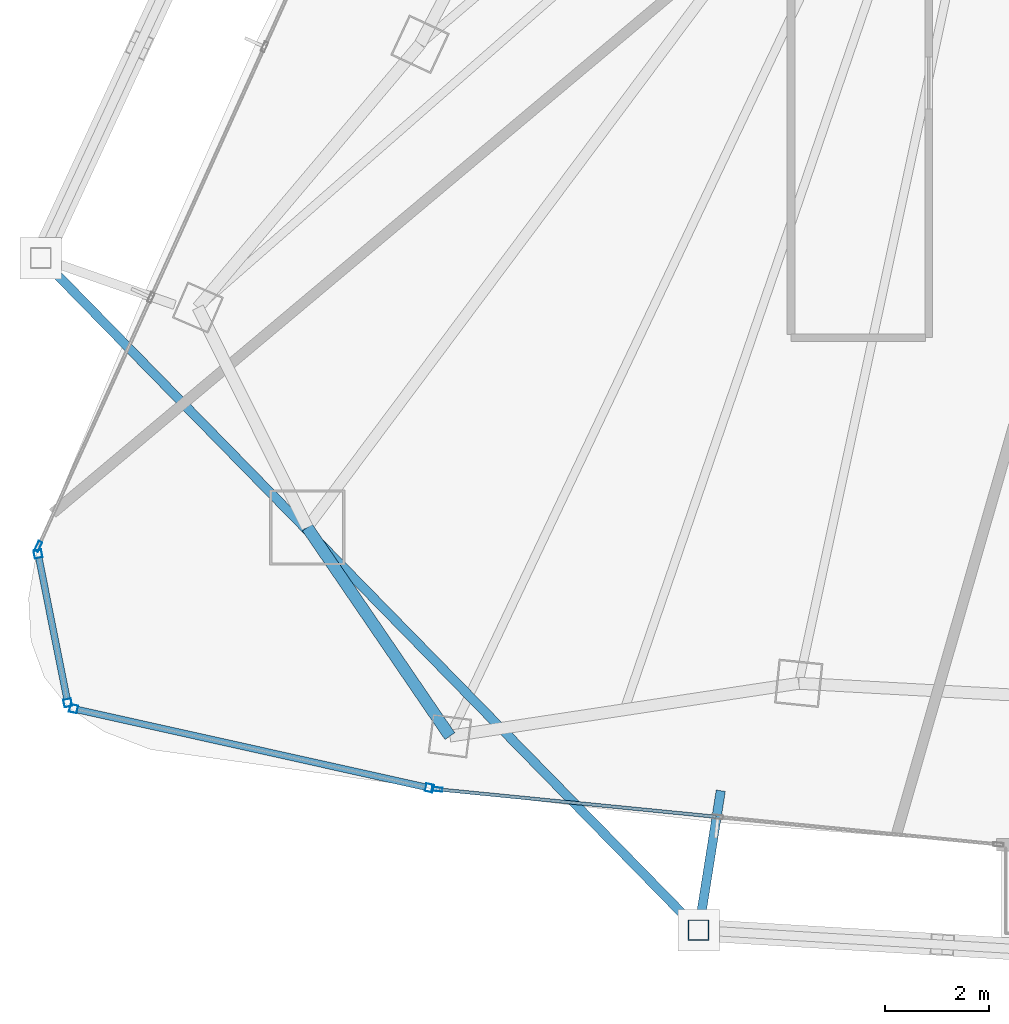
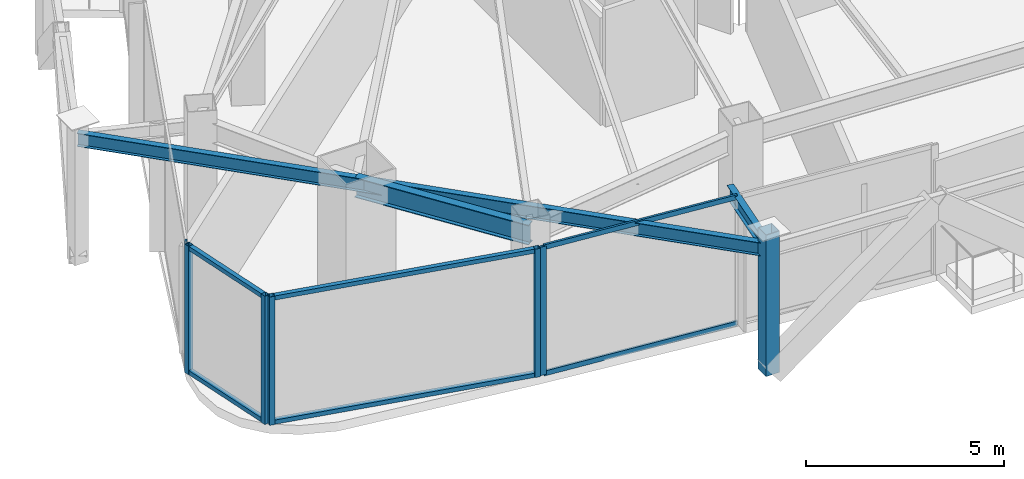
# One storey, part 2 of 27: 13 members, 3 beams, 4 elements without a shape of their own.
"""IFC4 building model written with IfcOpenShell, lengths in metres."""

from ifc_helpers import new_model, si_unit, direction, frame, origin, origin_2d, place, context, subcontext, project, spatial, hollow_rectangle, i_section, extrude, material, layer, layer_set, material_profile, profile_set, type_object, element, aggregate, save


model = new_model("IFC4")

# Units and contexts
model_context = context("Model", 3, precision=1e-05, world=origin(), true_north=direction((0.0, 1.0)))
body_context = subcontext(model_context, "Body", "Model", "MODEL_VIEW")
ifc_project = project(units=[si_unit("LENGTHUNIT", "METRE"), si_unit("AREAUNIT", "SQUARE_METRE"), si_unit("VOLUMEUNIT", "CUBIC_METRE"), si_unit("PLANEANGLEUNIT", "RADIAN"), si_unit("MASSUNIT", "GRAM", prefix="KILO")], contexts=[model_context])

# Site, building, storey
site_placement = place(None, origin())
site = spatial("IfcSite", under=ifc_project, at=site_placement, CompositionType="ELEMENT")
building_placement = place(site_placement, origin())
building = spatial("IfcBuilding", under=site, at=building_placement, Name="Orvanel Arch Residences", CompositionType="ELEMENT")
storey_placement = place(building_placement, frame((0.0, 0.0, 186.949951171875)))
storey = spatial("IfcBuildingStorey", under=building, at=storey_placement, Name="L53", CompositionType="ELEMENT", Elevation=186.949951171875)

# Curtain wall, members
ifc_material_1 = material(Name="Bronze-anodised aluminium AA6063-T6", Category="aluminium")
ifc_layer_1 = layer(ifc_material_1, 0.18994140625)
ifc_layer_set_1 = layer_set([ifc_layer_1], Name="Bronze-anodised aluminium AA6063-T6")
curtain_wall_type_1 = type_object("IfcCurtainWallType", Name="CW5-CRN-SYS", PredefinedType="NOTDEFINED", material=ifc_layer_set_1)
curtain_wall_1_placement = place(storey_placement, origin())
curtain_wall_1 = element("IfcCurtainWall", 1, at=curtain_wall_1_placement, inside=storey, type_object=curtain_wall_type_1, Name="L53 CW5-CRN-SYS Unitised Curtain Wall", PredefinedType="NOTDEFINED")
ifc_material_profile_1 = material_profile(ifc_material_1, hollow_rectangle(XDim=0.14990234375, YDim=0.14990234375, WallThickness=0.0048828125, at=origin_2d()), Name="ALU150x150x5")
ifc_profile_set_1 = profile_set([ifc_material_profile_1], Name="Bronze-anodised aluminium AA6063-T6")
member_type_1 = type_object("IfcMemberType", Name="MUL-150x150", PredefinedType="MULLION", material=ifc_profile_set_1)
member_1_placement = place(storey_placement, frame((9.022705078125, 9.84033203125, 0.0), z_axis=(0.0, 0.0, 1.0), x_axis=(0.980680862558, 0.195614533746, 0.0)))
member_1 = element("IfcMember", 2, at=member_1_placement, type_object=member_type_1, Name="CW-S5 mullion 1", PredefinedType="MULLION", context=body_context, shape_type="SweptSolid", body=[
    extrude(hollow_rectangle(XDim=0.14990234375, YDim=0.14990234375, WallThickness=0.0048828125, at=origin_2d()), origin(), (0.0, 0.0, 1.0), 3.949951171875),
])
member_2_placement = place(storey_placement, frame((9.59326171875, 6.9794921875, 0.0), z_axis=(0.0, 0.0, 1.0), x_axis=(0.980680862558, 0.195614533746, 0.0)))
member_2 = element("IfcMember", 3, at=member_2_placement, type_object=member_type_1, Name="CW-S5 mullion 2", PredefinedType="MULLION", context=body_context, shape_type="SweptSolid", body=[
    extrude(hollow_rectangle(XDim=0.14990234375, YDim=0.14990234375, WallThickness=0.0048828125, at=origin_2d()), origin(), (0.0, 0.0, 1.0), 3.949951171875),
])

curtain_wall_2_placement = place(storey_placement, origin())
curtain_wall_2 = element("IfcCurtainWall", 4, at=curtain_wall_2_placement, inside=storey, type_object=curtain_wall_type_1, Name="L53 CW5-CRN-SYS Unitised Curtain Wall", PredefinedType="NOTDEFINED")
member_3_placement = place(storey_placement, frame((9.705322265625, 6.86572265625, 0.0), z_axis=(0.0, 0.0, 1.0), x_axis=(0.217344553129, 0.976094946829, 0.0)))
member_3 = element("IfcMember", 5, at=member_3_placement, type_object=member_type_1, Name="CW-S5 mullion 1", PredefinedType="MULLION", context=body_context, shape_type="SweptSolid", body=[
    extrude(hollow_rectangle(XDim=0.14990234375, YDim=0.14990234375, WallThickness=0.0048828125, at=origin_2d()), origin(), (0.0, 0.0, 1.0), 3.949951171875),
])
member_4_placement = place(storey_placement, frame((16.546875, 5.34228515625, 0.0), z_axis=(0.0, 0.0, 1.0), x_axis=(0.217344553129, 0.976094946829, 0.0)))
member_4 = element("IfcMember", 6, at=member_4_placement, type_object=member_type_1, Name="CW-S5 mullion 2", PredefinedType="MULLION", context=body_context, shape_type="SweptSolid", body=[
    extrude(hollow_rectangle(XDim=0.14990234375, YDim=0.14990234375, WallThickness=0.0048828125, at=origin_2d()), origin(), (0.0, 0.0, 1.0), 3.949951171875),
])

# Curtain wall, member
ifc_layer_2 = layer(ifc_material_1, 0.195068359375)
ifc_layer_set_2 = layer_set([ifc_layer_2], Name="Bronze-anodised aluminium AA6063-T6")
curtain_wall_type_2 = type_object("IfcCurtainWallType", Name="CW6-COM-SYS", PredefinedType="NOTDEFINED", material=ifc_layer_set_2)
curtain_wall_3_placement = place(storey_placement, origin())
curtain_wall_3 = element("IfcCurtainWall", 7, at=curtain_wall_3_placement, inside=storey, type_object=curtain_wall_type_2, Name="L53 CW6-COM-SYS Unitised Curtain Wall", PredefinedType="NOTDEFINED")
ifc_material_profile_2 = material_profile(ifc_material_1, hollow_rectangle(XDim=0.074951171875, YDim=0.199951171875, WallThickness=0.0048828125, at=origin_2d()), Name="ALU200x75x5")
ifc_profile_set_2 = profile_set([ifc_material_profile_2], Name="Bronze-anodised aluminium AA6063-T6")
member_type_2 = type_object("IfcMemberType", Name="MUL-200x75", PredefinedType="MULLION", material=ifc_profile_set_2)
member_5_placement = place(storey_placement, frame((9.02734375, 9.986083984375, 0.0), z_axis=(0.0, 0.0, 1.0), x_axis=(0.911055535651, -0.412283653519, 0.0)))
member_5 = element("IfcMember", 8, at=member_5_placement, type_object=member_type_2, Name="CW-S6 mullion 4", PredefinedType="MULLION", context=body_context, shape_type="SweptSolid", body=[
    extrude(hollow_rectangle(XDim=0.074951171875, YDim=0.199951171875, WallThickness=0.0048828125, at=origin_2d()), origin(), (0.0, 0.0, 1.0), 3.949951171875),
])
aggregate(curtain_wall_3, [member_5])

curtain_wall_4_placement = place(storey_placement, origin())
curtain_wall_4 = element("IfcCurtainWall", 9, at=curtain_wall_4_placement, inside=storey, type_object=curtain_wall_type_2, Name="L53 CW6-COM-SYS Unitised Curtain Wall", PredefinedType="NOTDEFINED")
member_6_placement = place(storey_placement, frame((16.697265625, 5.31640625, 0.0), z_axis=(0.0, 0.0, 1.0), x_axis=(0.097898678362, 0.995196387039, 0.0)))
member_6 = element("IfcMember", 10, at=member_6_placement, type_object=member_type_2, Name="CW-S6 mullion 1", PredefinedType="MULLION", context=body_context, shape_type="SweptSolid", body=[
    extrude(hollow_rectangle(XDim=0.074951171875, YDim=0.199951171875, WallThickness=0.0048828125, at=origin_2d()), origin(), (0.0, 0.0, 1.0), 3.949951171875),
])

# Beams
ifc_material_2 = material(Name="Structural steel AS/NZS 3679.1 Grade 300 (300 MPa)", Category="steel")
ifc_material_profile_3 = material_profile(ifc_material_2, i_section(OverallWidth=0.177978515625, OverallDepth=0.406005859375, WebThickness=0.0078125, FlangeThickness=0.0126953125, at=origin_2d()), Name="410UB59.7")
ifc_profile_set_3 = profile_set([ifc_material_profile_3], Name="Structural steel AS/NZS 3679.1 Grade 300 (300 MPa)")
beam_type_1 = type_object("IfcBeamType", Name="OB-410UB-EXT", PredefinedType="SPANDREL", material=ifc_profile_set_3)
beam_1_placement = place(storey_placement, frame((9.074951171875, 15.531005859375, 3.7470703125), z_axis=(0.699492243146, -0.714640190431, 0.0), x_axis=(0.714640190431, 0.699492243146, 0.0)))
element("IfcBeam", 11, at=beam_1_placement, inside=storey, type_object=beam_type_1, Name="L53 Outer Perimeter Floor Ring Beam 04", PredefinedType="SPANDREL", context=body_context, shape_type="SweptSolid", body=[
    extrude(i_section(OverallWidth=0.177978515625, OverallDepth=0.406005859375, WebThickness=0.0078125, FlangeThickness=0.0126953125, at=origin_2d()), origin(), (0.0, 0.0, 1.0), 18.083251953125),
])
beam_2_placement = place(storey_placement, frame((22.14990234375, 5.2900390625, 3.7470703125), z_axis=(-0.156784247008, -0.98763287708, 0.0), x_axis=(0.98763287708, -0.156784247008, 0.0)))
element("IfcBeam", 12, at=beam_2_placement, inside=storey, type_object=beam_type_1, Name="L53 Outer Frame Radial Tie Beam 05", PredefinedType="SPANDREL", context=body_context, shape_type="SweptSolid", body=[
    extrude(i_section(OverallWidth=0.177978515625, OverallDepth=0.406005859375, WebThickness=0.0078125, FlangeThickness=0.0126953125, at=origin_2d()), origin(), (0.0, 0.0, 1.0), 2.7158203125),
])
ifc_material_profile_4 = material_profile(ifc_material_2, i_section(OverallWidth=0.22900390625, OverallDepth=0.612060546875, WebThickness=0.011962890625, FlangeThickness=0.01953125, at=origin_2d()), Name="610UB125")
ifc_profile_set_4 = profile_set([ifc_material_profile_4], Name="Structural steel AS/NZS 3679.1 Grade 300 (300 MPa)")
beam_type_2 = type_object("IfcBeamType", Name="SP-610UB", PredefinedType="SPANDREL", material=ifc_profile_set_4)
beam_3_placement = place(storey_placement, frame((14.198974609375, 10.35107421875, 3.64404296875), z_axis=(0.564251579852, -0.825602903722, 0.0), x_axis=(0.825602903722, 0.564251579852, 0.0)))
element("IfcBeam", 13, at=beam_3_placement, inside=storey, type_object=beam_type_2, Name="L53 Perimeter Spandrel Beam 03", PredefinedType="SPANDREL", context=body_context, shape_type="SweptSolid", body=[
    extrude(i_section(OverallWidth=0.22900390625, OverallDepth=0.612060546875, WebThickness=0.011962890625, FlangeThickness=0.01953125, at=origin_2d()), origin(), (0.0, 0.0, 1.0), 4.859375),
])

# Member
ifc_material_3 = material(Name="Structural steel AS/NZS 1163 C450L0 (Grade 450)", Category="steel")
ifc_material_profile_5 = material_profile(ifc_material_3, hollow_rectangle(XDim=0.39990234375, YDim=0.39990234375, WallThickness=0.01611328125, at=origin_2d()), Name="SHS400x400x16")
ifc_profile_set_5 = profile_set([ifc_material_profile_5], Name="Structural steel AS/NZS 1163 C450L0 (Grade 450)")
member_type_3 = type_object("IfcMemberType", Name="ST-400SHS-EXT", PredefinedType="STRUT", material=ifc_profile_set_5)
member_7_placement = place(storey_placement, frame((21.72412109375, 2.60791015625, 0.0), z_axis=(0.0, 0.0, 1.0), x_axis=(1.0, 0.0, 0.0)))
element("IfcMember", 14, at=member_7_placement, inside=storey, type_object=member_type_3, Name="L53 Outer Perimeter Frame Post 05", PredefinedType="STRUT", context=body_context, shape_type="SweptSolid", body=[
    extrude(hollow_rectangle(XDim=0.39990234375, YDim=0.39990234375, WallThickness=0.01611328125, at=origin_2d()), origin(), (0.0, 0.0, 1.0), 4.35009765625),
])

ifc_material_profile_6 = material_profile(ifc_material_1, hollow_rectangle(XDim=0.1298828125, YDim=0.1298828125, WallThickness=0.00439453125, at=origin_2d()), Name="ALU130x130x4.5")
ifc_profile_set_6 = profile_set([ifc_material_profile_6], Name="Bronze-anodised aluminium AA6063-T6")
member_type_4 = type_object("IfcMemberType", Name="TRN-130x130", PredefinedType="USERDEFINED", material=ifc_profile_set_6)
member_8_placement = place(storey_placement, frame((9.037353515625, 9.766845703125, 0.06494140625), z_axis=(0.195607086423, -0.980682348032, 0.0), x_axis=(0.980682348032, 0.195607086423, 0.0)))
member_8 = element("IfcMember", 15, at=member_8_placement, type_object=member_type_4, Name="CW-S5 transom 1.1", ObjectType="TRANSOM", PredefinedType="USERDEFINED", context=body_context, shape_type="SweptSolid", body=[
    extrude(hollow_rectangle(XDim=0.1298828125, YDim=0.1298828125, WallThickness=0.00439453125, at=origin_2d()), origin(), (0.0, 0.0, 1.0), 2.76708984375),
])

member_9_placement = place(storey_placement, frame((9.037353515625, 9.766845703125, 3.885009765625), z_axis=(0.195607086423, -0.980682348032, 0.0), x_axis=(0.980682348032, 0.195607086423, 0.0)))
member_9 = element("IfcMember", 16, at=member_9_placement, type_object=member_type_4, Name="CW-S5 transom 1.2", ObjectType="TRANSOM", PredefinedType="USERDEFINED", context=body_context, shape_type="SweptSolid", body=[
    extrude(hollow_rectangle(XDim=0.1298828125, YDim=0.1298828125, WallThickness=0.00439453125, at=origin_2d()), origin(), (0.0, 0.0, 1.0), 2.76708984375),
])

aggregate(curtain_wall_1, [member_1, member_2, member_8, member_9])

member_10_placement = place(storey_placement, frame((9.7783203125, 6.849365234375, 0.06494140625), z_axis=(0.976098205701, -0.217329917007, 0.0), x_axis=(0.217329917007, 0.976098205701, 0.0)))
member_10 = element("IfcMember", 17, at=member_10_placement, type_object=member_type_4, Name="CW-S5 transom 1.1", ObjectType="TRANSOM", PredefinedType="USERDEFINED", context=body_context, shape_type="SweptSolid", body=[
    extrude(hollow_rectangle(XDim=0.1298828125, YDim=0.1298828125, WallThickness=0.00439453125, at=origin_2d()), origin(), (0.0, 0.0, 1.0), 6.859375),
])

member_11_placement = place(storey_placement, frame((9.7783203125, 6.849365234375, 3.885009765625), z_axis=(0.976098205701, -0.217329917007, 0.0), x_axis=(0.217329917007, 0.976098205701, 0.0)))
member_11 = element("IfcMember", 18, at=member_11_placement, type_object=member_type_4, Name="CW-S5 transom 1.2", ObjectType="TRANSOM", PredefinedType="USERDEFINED", context=body_context, shape_type="SweptSolid", body=[
    extrude(hollow_rectangle(XDim=0.1298828125, YDim=0.1298828125, WallThickness=0.00439453125, at=origin_2d()), origin(), (0.0, 0.0, 1.0), 6.859375),
])

aggregate(curtain_wall_2, [member_3, member_4, member_10, member_11])

ifc_material_profile_7 = material_profile(ifc_material_1, hollow_rectangle(XDim=0.06494140625, YDim=0.14990234375, WallThickness=0.00390625, at=origin_2d()), Name="ALU150x65x4")
ifc_profile_set_7 = profile_set([ifc_material_profile_7], Name="Bronze-anodised aluminium AA6063-T6")
member_type_5 = type_object("IfcMemberType", Name="TRN-150x65", PredefinedType="USERDEFINED", material=ifc_profile_set_7)
member_12_placement = place(storey_placement, frame((16.734619140625, 5.312744140625, 0.032470703125), z_axis=(0.995192816095, -0.097934972268, 0.0), x_axis=(0.097934972268, 0.995192816095, 0.0)))
member_12 = element("IfcMember", 19, at=member_12_placement, type_object=member_type_5, Name="CW-S6 transom 1.1", ObjectType="TRANSOM", PredefinedType="USERDEFINED", context=body_context, shape_type="SweptSolid", body=[
    extrude(hollow_rectangle(XDim=0.06494140625, YDim=0.14990234375, WallThickness=0.00390625, at=origin_2d()), origin(), (0.0, 0.0, 1.0), 5.34716796875),
])

member_13_placement = place(storey_placement, frame((16.734619140625, 5.312744140625, 3.91748046875), z_axis=(0.995192816095, -0.097934972268, 0.0), x_axis=(0.097934972268, 0.995192816095, 0.0)))
member_13 = element("IfcMember", 20, at=member_13_placement, type_object=member_type_5, Name="CW-S6 transom 1.2", ObjectType="TRANSOM", PredefinedType="USERDEFINED", context=body_context, shape_type="SweptSolid", body=[
    extrude(hollow_rectangle(XDim=0.06494140625, YDim=0.14990234375, WallThickness=0.00390625, at=origin_2d()), origin(), (0.0, 0.0, 1.0), 5.34716796875),
])

aggregate(curtain_wall_4, [member_6, member_12, member_13])

save(model, "model.ifc")
